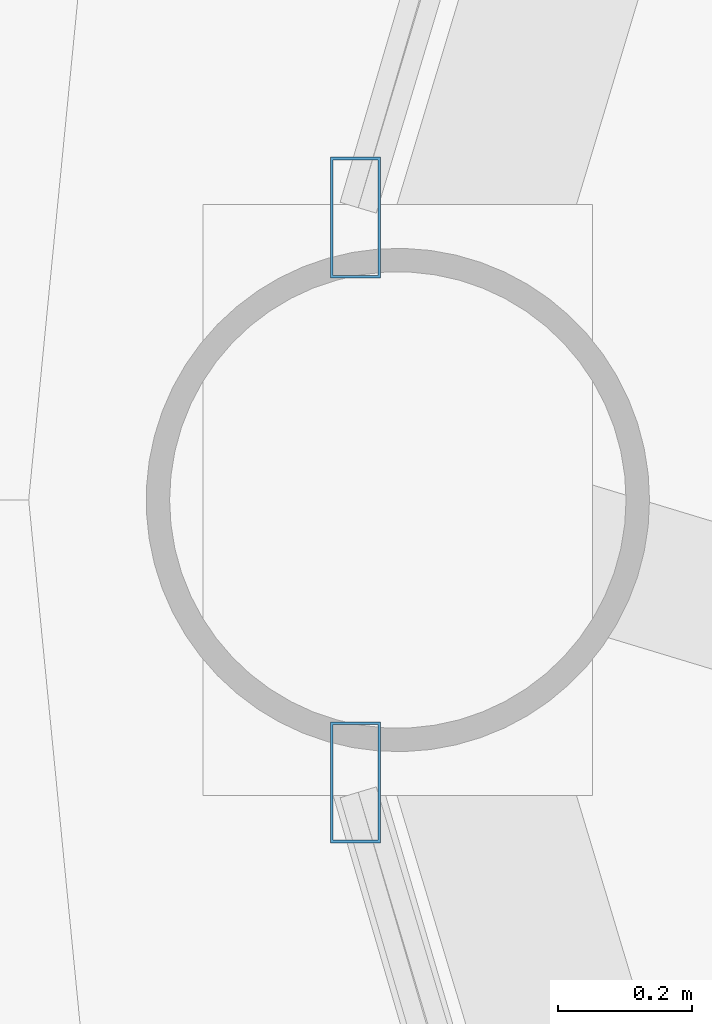
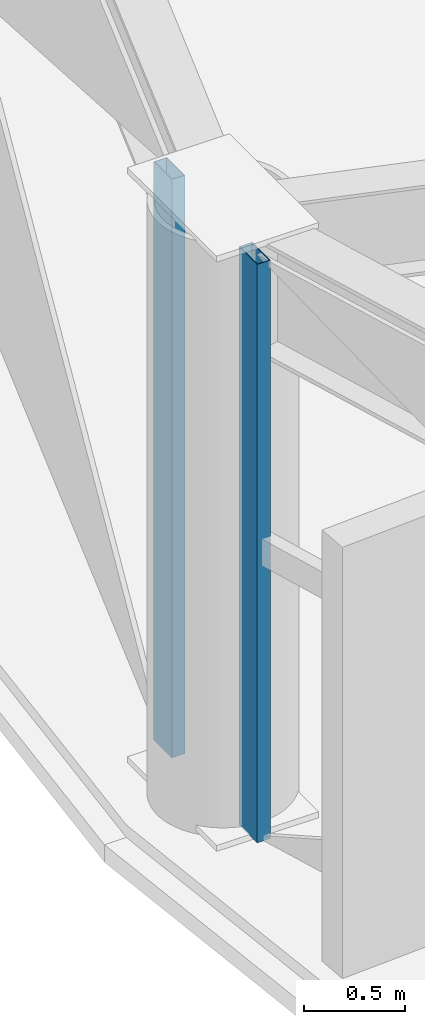
# One storey, part 7 of 30: 2 members, 2 elements without a shape of their own.
"""IFC4 building model written with IfcOpenShell, lengths in metres."""

from ifc_helpers import new_model, si_unit, direction, frame, origin, origin_2d, place, context, subcontext, project, spatial, hollow_rectangle, extrude, material, layer, layer_set, material_profile, profile_set, type_object, element, aggregate, save


model = new_model("IFC4")

# Units and contexts
model_context = context("Model", 3, precision=1e-05, world=origin(), true_north=direction((0.0, 1.0)))
body_context = subcontext(model_context, "Body", "Model", "MODEL_VIEW")
ifc_project = project(units=[si_unit("LENGTHUNIT", "METRE"), si_unit("AREAUNIT", "SQUARE_METRE"), si_unit("VOLUMEUNIT", "CUBIC_METRE"), si_unit("PLANEANGLEUNIT", "RADIAN"), si_unit("MASSUNIT", "GRAM", prefix="KILO")], contexts=[model_context])

# Site, building, storey
site_placement = place(None, origin())
site = spatial("IfcSite", under=ifc_project, at=site_placement, CompositionType="ELEMENT")
building_placement = place(site_placement, origin())
building = spatial("IfcBuilding", under=site, at=building_placement, Name="Vantalir Tower", CompositionType="ELEMENT")
storey_placement = place(building_placement, frame((0.0, 0.0, 153.449951171875)))
storey = spatial("IfcBuildingStorey", under=building, at=storey_placement, Name="L38", CompositionType="ELEMENT", Elevation=153.449951171875)

# Curtain wall, member
ifc_material_1 = material(Name="Champagne-silver PVDF aluminium and double-silver Low-E glass", Category="aluminium")
ifc_layer = layer(ifc_material_1, 0.199951171875)
ifc_layer_set = layer_set([ifc_layer], Name="Champagne-silver PVDF aluminium and double-silver Low-E glass")
curtain_wall_type = type_object("IfcCurtainWallType", Name="CW-DIAMOND-Z2", PredefinedType="USERDEFINED", material=ifc_layer_set)
curtain_wall_1_placement = place(storey_placement, origin())
curtain_wall_1 = element("IfcCurtainWall", 1, at=curtain_wall_1_placement, inside=storey, type_object=curtain_wall_type, Name="L38 Quilted Pyramid-Diamond Curtain Wall S06", ObjectType="UNITISED CURTAIN WALL", PredefinedType="USERDEFINED")
ifc_material_2 = material(Name="Champagne-silver PVDF aluminium 6063-T6", Category="aluminium")
ifc_material_profile = material_profile(ifc_material_2, hollow_rectangle(XDim=0.074951171875, YDim=0.179931640625, WallThickness=0.00390625, at=origin_2d()), Name="Champagne-silver PVDF aluminium 6063-T6")
ifc_profile_set = profile_set([ifc_material_profile], Name="Champagne-silver PVDF aluminium 6063-T6")
member_type = type_object("IfcMemberType", Name="CWM-180x75", PredefinedType="MULLION", material=ifc_profile_set)
member_1_placement = place(storey_placement, frame((6.654052734375, 25.4208984375, 0.045166015625), z_axis=(0.0, 0.0, 1.0), x_axis=(1.0, 0.0, 0.0)))
member_1 = element("IfcMember", 2, at=member_1_placement, type_object=member_type, Name="CW-L38-S06 Mullion 2", PredefinedType="MULLION", context=body_context, shape_type="SweptSolid", body=[
    extrude(hollow_rectangle(XDim=0.074951171875, YDim=0.179931640625, WallThickness=0.00390625, at=origin_2d()), origin(), (0.0, 0.0, 1.0), 3.47998046875),
])
aggregate(curtain_wall_1, [member_1])

curtain_wall_2_placement = place(storey_placement, origin())
curtain_wall_2 = element("IfcCurtainWall", 3, at=curtain_wall_2_placement, inside=storey, type_object=curtain_wall_type, Name="L38 Quilted Pyramid-Diamond Curtain Wall S07", ObjectType="UNITISED CURTAIN WALL", PredefinedType="USERDEFINED")
member_2_placement = place(storey_placement, frame((6.654052734375, 24.5791015625, 0.045166015625), z_axis=(0.0, 0.0, 1.0), x_axis=(1.0, 0.0, 0.0)))
member_2 = element("IfcMember", 4, at=member_2_placement, type_object=member_type, Name="CW-L38-S07 Mullion 1", PredefinedType="MULLION", context=body_context, shape_type="SweptSolid", body=[
    extrude(hollow_rectangle(XDim=0.074951171875, YDim=0.179931640625, WallThickness=0.00390625, at=origin_2d()), origin(), (0.0, 0.0, 1.0), 3.47998046875),
])
aggregate(curtain_wall_2, [member_2])

save(model, "model.ifc")
